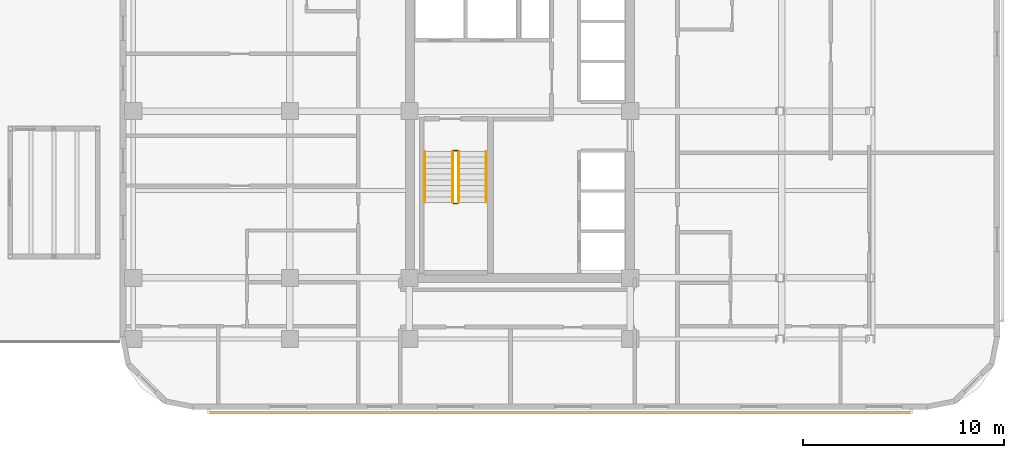
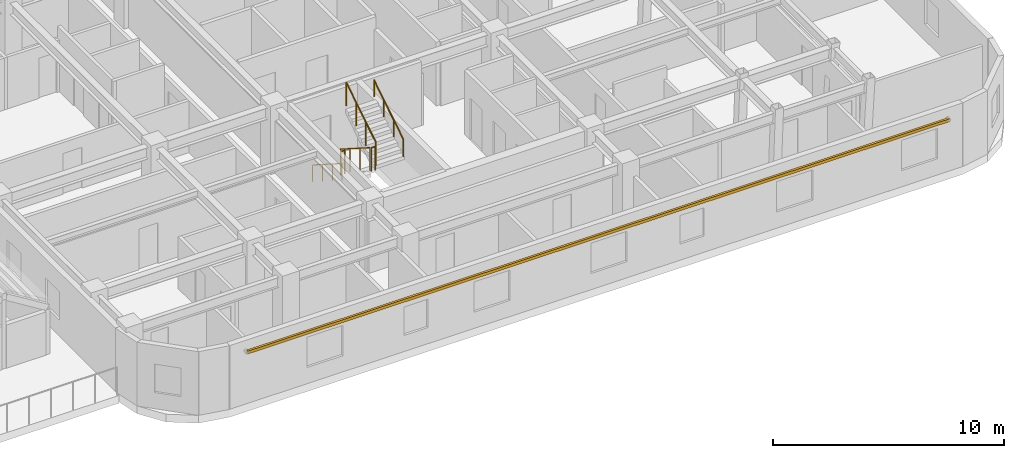
# One storey, part 15 of 19: 6 railings, 1 shading device.
"""IFC4 building model written with IfcOpenShell, lengths in metres."""

from ifc_helpers import new_model, si_unit, direction, frame, origin, origin_2d, place, context, subcontext, project, spatial, rectangle, circle, extrude, material, material_profile, profile_set, type_object, element, save


model = new_model("IFC4")

# Units and contexts
model_context = context("Model", 3, precision=1e-05, world=origin(), true_north=direction((0.0, 1.0)))
body_context = subcontext(model_context, "Body", "Model", "MODEL_VIEW")
ifc_project = project(units=[si_unit("LENGTHUNIT", "METRE"), si_unit("AREAUNIT", "SQUARE_METRE"), si_unit("VOLUMEUNIT", "CUBIC_METRE"), si_unit("PLANEANGLEUNIT", "RADIAN"), si_unit("MASSUNIT", "GRAM", prefix="KILO")], contexts=[model_context])

# Site, building, storey
site_placement = place(None, origin())
site = spatial("IfcSite", under=ifc_project, at=site_placement, CompositionType="ELEMENT")
building_placement = place(site_placement, origin())
building = spatial("IfcBuilding", under=site, at=building_placement, Name="Ochreholt Gables", CompositionType="ELEMENT")
storey_placement = place(building_placement, frame((0.0, 0.0, 76.800048828125)))
storey = spatial("IfcBuildingStorey", under=building, at=storey_placement, Name="L19", CompositionType="ELEMENT", Elevation=76.800048828125)

# Railings
ifc_material_1 = material(Name="Painted Steel Stair Guardrail", Category="steel")
railing_type_1 = type_object("IfcRailingType", Name="RL-ST-GUARD", PredefinedType="GUARDRAIL", material=ifc_material_1)
railing_1_placement = place(storey_placement, frame((26.35009765625, 15.5400390625, 0.179931640625)))
element("IfcRailing", 1, at=railing_1_placement, inside=storey, type_object=railing_type_1, Name="L19 ST-1 stair guard 1", PredefinedType="GUARDRAIL", context=body_context, shape_type="SweptSolid", body=[
    extrude(circle(Radius=0.02392578125, at=origin_2d()), frame((0.0, 0.0, 1.22607421875), z_axis=(0.0, -0.842912820907, 0.538050161556), x_axis=(1.0, 0.0, 0.0)), (0.0, 0.0, 1.0), 3.010986328125),
    extrude(circle(Radius=0.02099609375, at=origin_2d()), origin(), (0.0, 0.0, 1.0), 1.201904296875),
    extrude(circle(Radius=0.02099609375, at=origin_2d()), frame((0.0, -0.845947265625, 0.5400390625)), (0.0, 0.0, 1.0), 1.201904296875),
    extrude(circle(Radius=0.02099609375, at=origin_2d()), frame((0.0, -1.692138671875, 1.080078125)), (0.0, 0.0, 1.0), 1.201904296875),
    extrude(circle(Radius=0.02099609375, at=origin_2d()), frame((0.0, -2.5380859375, 1.6201171875)), (0.0, 0.0, 1.0), 1.201904296875),
])
railing_2_placement = place(storey_placement, frame((26.39990234375, 12.951904296875, 1.800048828125)))
element("IfcRailing", 2, at=railing_2_placement, inside=storey, type_object=railing_type_1, Name="L19 ST-1 stair guard 2", PredefinedType="GUARDRAIL", context=body_context, shape_type="SweptSolid", body=[
    extrude(circle(Radius=0.02392578125, at=origin_2d()), frame((0.0, 0.0, 1.22607421875), z_axis=(1.0, 0.0, 0.0), x_axis=(0.0, 1.0, 0.0)), (0.0, 0.0, 1.0), 0.2001953125),
    extrude(circle(Radius=0.02099609375, at=origin_2d()), origin(), (0.0, 0.0, 1.0), 1.201904296875),
    extrude(circle(Radius=0.02099609375, at=origin_2d()), frame((0.2001953125, 0.0, 0.0)), (0.0, 0.0, 1.0), 1.201904296875),
])
railing_3_placement = place(storey_placement, frame((26.64990234375, 13.001953125, 1.97998046875)))
element("IfcRailing", 3, at=railing_3_placement, inside=storey, type_object=railing_type_1, Name="L19 ST-1 stair guard 3", PredefinedType="GUARDRAIL", context=body_context, shape_type="SweptSolid", body=[
    extrude(circle(Radius=0.02392578125, at=origin_2d()), frame((0.0, 0.0, 1.22607421875), z_axis=(0.0, 0.842949592929, 0.537992549931), x_axis=(-1.0, 0.0, 0.0)), (0.0, 0.0, 1.0), 3.010986328125),
    extrude(circle(Radius=0.02099609375, at=origin_2d()), origin(), (0.0, 0.0, 1.0), 1.201904296875),
    extrude(circle(Radius=0.02099609375, at=origin_2d()), frame((0.0, 0.845947265625, 0.5400390625)), (0.0, 0.0, 1.0), 1.201904296875),
    extrude(circle(Radius=0.02099609375, at=origin_2d()), frame((0.0, 1.692138671875, 1.079833984375)), (0.0, 0.0, 1.0), 1.201904296875),
    extrude(circle(Radius=0.02099609375, at=origin_2d()), frame((0.0, 2.5380859375, 1.619873046875)), (0.0, 0.0, 1.0), 1.201904296875),
])
railing_4_placement = place(storey_placement, frame((26.39990234375, 15.590087890625, 0.0)))
element("IfcRailing", 4, at=railing_4_placement, inside=storey, type_object=railing_type_1, Name="L19 ST-1 stair guard 4", PredefinedType="GUARDRAIL", context=body_context, shape_type="SweptSolid", body=[
    extrude(circle(Radius=0.02392578125, at=origin_2d()), frame((0.0, 0.0, 1.22607421875), z_axis=(1.0, 0.0, 0.0), x_axis=(0.0, 1.0, 0.0)), (0.0, 0.0, 1.0), 0.2001953125),
    extrude(circle(Radius=0.02099609375, at=origin_2d()), origin(), (0.0, 0.0, 1.0), 1.201904296875),
    extrude(circle(Radius=0.02099609375, at=origin_2d()), frame((0.2001953125, 0.0, 0.0)), (0.0, 0.0, 1.0), 1.201904296875),
])
ifc_material_2 = material(Name="Brushed Stainless Steel Wall Handrail", Category="steel")
railing_type_2 = type_object("IfcRailingType", Name="RL-ST-HAND", PredefinedType="HANDRAIL", material=ifc_material_2)
railing_5_placement = place(storey_placement, frame((24.969970703125, 15.5400390625, 0.179931640625)))
element("IfcRailing", 5, at=railing_5_placement, inside=storey, type_object=railing_type_2, Name="L19 ST-1 stair handrail 1", PredefinedType="HANDRAIL", context=body_context, shape_type="SweptSolid", body=[
    extrude(circle(Radius=0.02392578125, at=origin_2d()), frame((0.0, 0.0, 0.8759765625), z_axis=(0.0, -0.842912820907, 0.538050161556), x_axis=(1.0, 0.0, 0.0)), (0.0, 0.0, 1.0), 3.010986328125),
    extrude(circle(Radius=0.02099609375, at=origin_2d()), origin(), (0.0, 0.0, 1.0), 0.851806640625),
    extrude(circle(Radius=0.02099609375, at=origin_2d()), frame((0.0, -0.845947265625, 0.5400390625)), (0.0, 0.0, 1.0), 0.851806640625),
    extrude(circle(Radius=0.02099609375, at=origin_2d()), frame((0.0, -1.692138671875, 1.080078125)), (0.0, 0.0, 1.0), 0.851806640625),
    extrude(circle(Radius=0.02099609375, at=origin_2d()), frame((0.0, -2.5380859375, 1.6201171875)), (0.0, 0.0, 1.0), 0.851806640625),
])
railing_6_placement = place(storey_placement, frame((28.030029296875, 13.001953125, 1.97998046875)))
element("IfcRailing", 6, at=railing_6_placement, inside=storey, type_object=railing_type_2, Name="L19 ST-1 stair handrail 2", PredefinedType="HANDRAIL", context=body_context, shape_type="SweptSolid", body=[
    extrude(circle(Radius=0.02392578125, at=origin_2d()), frame((0.0, 0.0, 0.8759765625), z_axis=(0.0, 0.842949592929, 0.537992549931), x_axis=(-1.0, 0.0, 0.0)), (0.0, 0.0, 1.0), 3.010986328125),
    extrude(circle(Radius=0.02099609375, at=origin_2d()), origin(), (0.0, 0.0, 1.0), 0.851806640625),
    extrude(circle(Radius=0.02099609375, at=origin_2d()), frame((0.0, 0.845947265625, 0.5400390625)), (0.0, 0.0, 1.0), 0.851806640625),
    extrude(circle(Radius=0.02099609375, at=origin_2d()), frame((0.0, 1.692138671875, 1.079833984375)), (0.0, 0.0, 1.0), 0.851806640625),
    extrude(circle(Radius=0.02099609375, at=origin_2d()), frame((0.0, 2.5380859375, 1.619873046875)), (0.0, 0.0, 1.0), 0.851806640625),
])

# Shading device
ifc_material_3 = material(Name="Warm Ochre Glazed Terracotta Baguette", Category="masonry")
ifc_material_profile = material_profile(ifc_material_3, rectangle(XDim=0.110107421875, YDim=0.14990234375, at=origin_2d()), Name="TCBAG110X150")
ifc_profile_set = profile_set([ifc_material_profile], Name="Warm Ochre Glazed Terracotta Baguette")
shading_device_type = type_object("IfcShadingDeviceType", Name="SHD-BAGUETTE", PredefinedType="USERDEFINED", material=ifc_profile_set)
shading_device_placement = place(storey_placement, frame((14.199951171875, 2.550048828125, 2.83984375), z_axis=(1.0, 0.0, 0.0), x_axis=(0.0, 1.0, 0.0)))
element("IfcShadingDevice", 7, at=shading_device_placement, inside=storey, type_object=shading_device_type, Name="L19 Terracotta Baguette Screen S-1", ObjectType="BAGUETTE", PredefinedType="USERDEFINED", context=body_context, shape_type="SweptSolid", body=[
    extrude(rectangle(XDim=0.110107421875, YDim=0.14990234375, at=origin_2d()), origin(), (0.0, 0.0, 1.0), 35.0),
])

save(model, "model.ifc")
